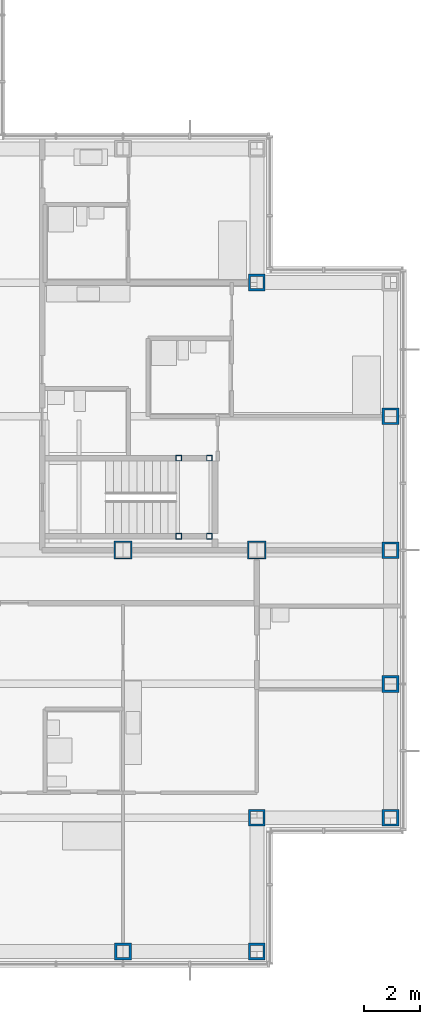
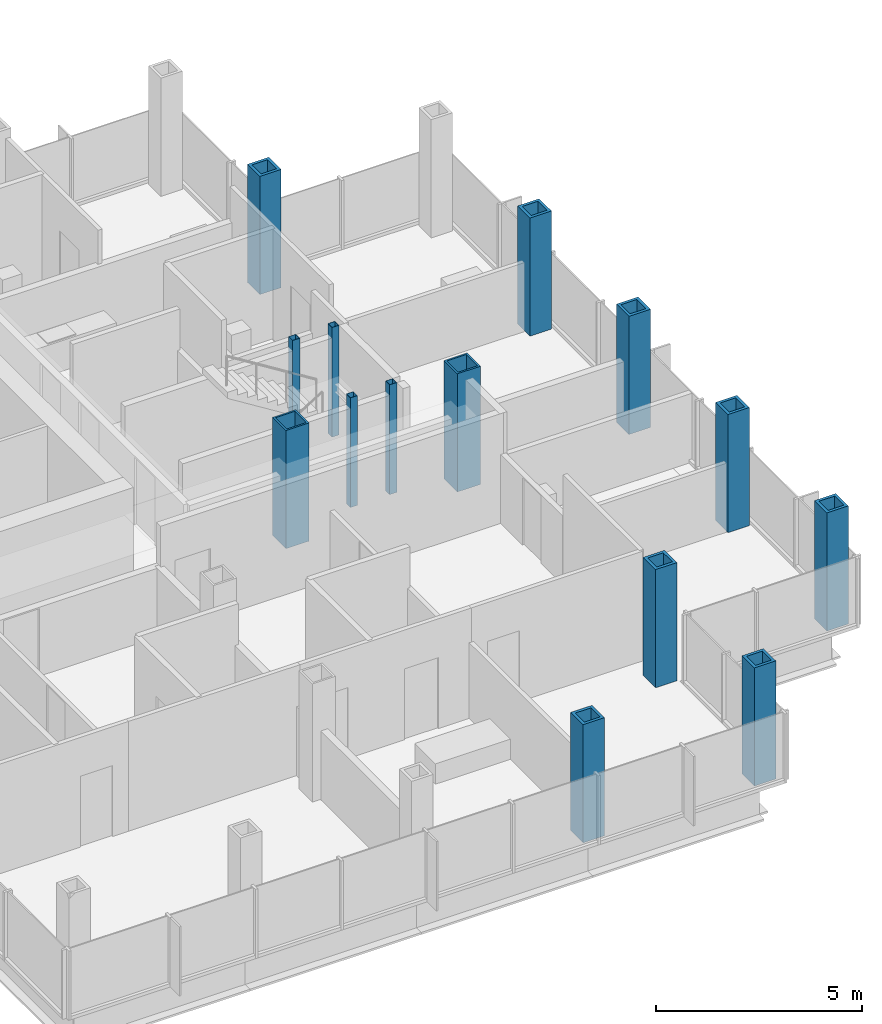
# One storey, part 4 of 20: 14 columns.
"""IFC4 building model written with IfcOpenShell, lengths in metres."""

import ifcopenshell
import ifcopenshell.guid

model = None  # the IFC model being written
_history = None  # IfcOwnerHistory: only IFC2X3 demands one
_inside = {}  # id of a spatial element -> (the spatial element, [elements in it])
_under = {}  # id of a project, library or spatial element -> (it, [spatial elements below it])
_declared = {}  # id of a project -> (the project, [libraries it declares])
_typed = {}  # id of a type object -> (the type object, [elements of that type])
_made_of = {}  # id of a material, layer set ... -> (it, [elements and type objects made of it])


def new_model(schema):
    """Start an empty IFC model of exactly this schema.

    Asked for "IFC4X3", IfcOpenShell would pick the latest addendum, in which some entities
    have other attributes; the version numbers below select the first issue.
    IFC2X3 requires an IfcOwnerHistory on every rooted entity: one is made here for all.
    """
    global model, _history
    if schema == "IFC4X3":
        model = ifcopenshell.file(schema_version=(4, 3, 0, 0))
    else:
        model = ifcopenshell.file(schema=schema)
    _inside.clear()
    _under.clear()
    _declared.clear()
    _typed.clear()
    _made_of.clear()
    _history = None
    if model.schema == "IFC2X3":
        org = make("IfcOrganization", Name="unknown")
        user = make(
            "IfcPersonAndOrganization",
            ThePerson=make("IfcPerson", FamilyName="unknown"),
            TheOrganization=org,
        )
        app = make(
            "IfcApplication",
            ApplicationDeveloper=org,
            Version="unknown",
            ApplicationFullName="unknown",
            ApplicationIdentifier="unknown",
        )
        _history = make(
            "IfcOwnerHistory",
            OwningUser=user,
            OwningApplication=app,
            ChangeAction="ADDED",
            CreationDate=0,
        )
    return model


def make(cls, **values):
    """One entity of the class cls with the attributes given. An attribute that is None is left unset."""
    return model.create_entity(
        cls, **{name: value for name, value in values.items() if value is not None}
    )


def rooted(cls, **values):
    """An entity with a GlobalId (a new one), such as an element, a storey or a relation."""
    return make(cls, GlobalId=ifcopenshell.guid.new(), OwnerHistory=_history, **values)


def si_unit(unit_type, name, prefix=None):
    """IfcSIUnit, for example si_unit("LENGTHUNIT", "METRE", prefix="MILLI")."""
    return make("IfcSIUnit", UnitType=unit_type, Prefix=prefix, Name=name)


def assignment(units):
    """IfcUnitAssignment: the units of a project."""
    return None if units is None else make("IfcUnitAssignment", Units=units)


def point(xyz):
    """IfcCartesianPoint."""
    return None if xyz is None else make("IfcCartesianPoint", Coordinates=xyz)


def direction(xyz):
    """IfcDirection."""
    return None if xyz is None else make("IfcDirection", DirectionRatios=xyz)


def frame(location, z_axis=None, x_axis=None):
    """IfcAxis2Placement3D, a coordinate frame: its origin and axes. An axis left out is left unset."""
    return make(
        "IfcAxis2Placement3D",
        Location=point(location),
        Axis=direction(z_axis),
        RefDirection=direction(x_axis),
    )


def frame_2d(location, x_axis=None):
    """IfcAxis2Placement2D, a coordinate frame in the plane: its origin and x axis."""
    return make(
        "IfcAxis2Placement2D", Location=point(location), RefDirection=direction(x_axis)
    )


def origin():
    """The frame at (0, 0, 0) with its axes left unset."""
    return frame((0.0, 0.0, 0.0))


def origin_2d():
    """The frame at (0, 0) in the plane with its x axis left unset."""
    return frame_2d((0.0, 0.0))


def place(relative_to, where):
    """IfcLocalPlacement: puts the frame where relative to a parent placement (None: the world)."""
    return make(
        "IfcLocalPlacement", PlacementRelTo=relative_to, RelativePlacement=where
    )


def context(
    kind, dimensions, precision=None, world=None, true_north=None, identifier=None
):
    """IfcGeometricRepresentationContext, for example the 3D "Model" context."""
    return make(
        "IfcGeometricRepresentationContext",
        ContextIdentifier=identifier,
        ContextType=kind,
        CoordinateSpaceDimension=dimensions,
        Precision=precision,
        WorldCoordinateSystem=world,
        TrueNorth=true_north,
    )


def subcontext(parent, identifier, kind, view, scale=None):
    """IfcGeometricRepresentationSubContext, for example "Body" below "Model"."""
    return make(
        "IfcGeometricRepresentationSubContext",
        ContextIdentifier=identifier,
        ContextType=kind,
        ParentContext=parent,
        TargetScale=scale,
        TargetView=view,
    )


def project(units=None, contexts=None):
    """IfcProject with its units and contexts."""
    return rooted(
        "IfcProject",
        Name="project",
        RepresentationContexts=contexts,
        UnitsInContext=assignment(units),
    )


def spatial(cls, under=None, at=None, **own):
    """A site, building, storey or space (cls), placed at a placement, below another one or the project."""
    s = rooted(cls, ObjectPlacement=at, **own)
    if under is not None:
        _under.setdefault(under.id(), (under, []))[1].append(s)
    return s


def profile(cls, at=None, kind="AREA", **sizes):
    """A parametric profile (cls). Its sizes go by their IFC names, for example OverallWidth=200.0."""
    return make(cls, ProfileType=kind, Position=at, **sizes)


def hollow_rectangle(**sizes):
    """IfcRectangleHollowProfileDef."""
    return profile("IfcRectangleHollowProfileDef", **sizes)


def extrude(swept, where, along, depth):
    """IfcExtrudedAreaSolid: the profile swept, set in the frame where, extruded along a direction by depth."""
    return make(
        "IfcExtrudedAreaSolid",
        SweptArea=swept,
        Position=where,
        ExtrudedDirection=direction(along),
        Depth=depth,
    )


def shape(context_of_items, identifier, shape_type, items):
    """IfcShapeRepresentation: the items that make up one representation, for example the "Body"."""
    return make(
        "IfcShapeRepresentation",
        ContextOfItems=context_of_items,
        RepresentationIdentifier=identifier,
        RepresentationType=shape_type,
        Items=items,
    )


def material(Name=None, Category=None):
    """IfcMaterial."""
    return make("IfcMaterial", Name=Name, Category=Category)


def material_profile(
    of_material, cross_section, Name=None, Category=None, Priority=None
):
    """IfcMaterialProfile: a cross section and its material."""
    return make(
        "IfcMaterialProfile",
        Name=Name,
        Material=of_material,
        Profile=cross_section,
        Priority=Priority,
        Category=Category,
    )


def profile_set(profiles, Name=None, composite=None):
    """IfcMaterialProfileSet."""
    return make(
        "IfcMaterialProfileSet",
        Name=Name,
        MaterialProfiles=profiles,
        CompositeProfile=composite,
    )


def made_of(thing, what):
    """Note that an element or type object is made of a material, layer set ...; save() writes the relation."""
    if what is not None:
        _made_of.setdefault(what.id(), (what, []))[1].append(thing)
    return thing


def type_object(cls, material=None, **own):
    """A type object (cls), such as IfcWallType, which elements share."""
    return made_of(rooted(cls, **own), material)


def element(
    cls,
    number,
    at=None,
    inside=None,
    cuts=None,
    type_object=None,
    material=None,
    context=None,
    identifier="Body",
    shape_type=None,
    held_by="IfcProductDefinitionShape",
    body=None,
    shapes=None,
    **own,
):
    """One element of the class cls, such as IfcWall. Its Tag is "e" and its number.

    at: its placement. inside: the storey or other place that contains it. cuts: it is an
    opening in that element (IfcRelVoidsElement). A single representation is given by context,
    identifier, shape_type and body (its items); several are given by shapes. held_by: the class
    of the entity that holds the representations. save() writes the other relations.
    """
    e = rooted(cls, Tag="e%d" % number, ObjectPlacement=at, **own)
    if body is not None:
        shapes = [shape(context, identifier, shape_type, body)]
    if shapes is not None:
        e.Representation = make(held_by, Representations=shapes)
    if inside is not None:
        _inside.setdefault(inside.id(), (inside, []))[1].append(e)
    if cuts is not None:
        rooted(
            "IfcRelVoidsElement", RelatingBuildingElement=cuts, RelatedOpeningElement=e
        )
    if type_object is not None:
        _typed.setdefault(type_object.id(), (type_object, []))[1].append(e)
    return made_of(e, material)


def aggregate(whole, parts):
    """IfcRelAggregates: a whole, such as a stair, and the parts it consists of."""
    return rooted("IfcRelAggregates", RelatingObject=whole, RelatedObjects=parts)


def save(model, path):
    """Write the relations noted so far, then the file.

    IfcRelAggregates (storeys below a building ...), IfcRelContainedInSpatialStructure (elements
    in a storey), IfcRelDefinesByType, IfcRelAssociatesMaterial and IfcRelDeclares: one each for
    every whole, place, type object, material and project.
    """
    for whole, parts in _under.values():
        aggregate(whole, parts)
    for where, things in _inside.values():
        rooted(
            "IfcRelContainedInSpatialStructure",
            RelatedElements=things,
            RelatingStructure=where,
        )
    for kind, things in _typed.values():
        rooted("IfcRelDefinesByType", RelatedObjects=things, RelatingType=kind)
    for what, things in _made_of.values():
        rooted("IfcRelAssociatesMaterial", RelatedObjects=things, RelatingMaterial=what)
    for by, libraries in _declared.values():
        rooted("IfcRelDeclares", RelatingContext=by, RelatedDefinitions=libraries)
    model.write(path)


model = new_model("IFC4")

# Units and contexts
model_context = context("Model", 3, precision=1e-05, world=origin(), true_north=direction((0.0, 1.0)))
body_context = subcontext(model_context, "Body", "Model", "MODEL_VIEW")
ifc_project = project(units=[si_unit("LENGTHUNIT", "METRE"), si_unit("AREAUNIT", "SQUARE_METRE"), si_unit("VOLUMEUNIT", "CUBIC_METRE"), si_unit("PLANEANGLEUNIT", "RADIAN"), si_unit("MASSUNIT", "GRAM", prefix="KILO")], contexts=[model_context])

# Site, building, storey
site_placement = place(None, origin())
site = spatial("IfcSite", under=ifc_project, at=site_placement, CompositionType="ELEMENT")
building_placement = place(site_placement, origin())
building = spatial("IfcBuilding", under=site, at=building_placement, Name="Kvirike Care Tower", CompositionType="ELEMENT")
storey_placement = place(building_placement, frame((0.0, 0.0, 133.0)))
storey = spatial("IfcBuildingStorey", under=building, at=storey_placement, Name="L36", CompositionType="ELEMENT", Elevation=133.0)

# Columns
ifc_material_1 = material(Name="Steel S460", Category="steel")
ifc_material_profile_1 = material_profile(ifc_material_1, hollow_rectangle(XDim=0.60009765625, YDim=0.60009765625, WallThickness=0.080078125, at=origin_2d()), Name="BX 600x600x80")
ifc_profile_set_1 = profile_set([ifc_material_profile_1], Name="Steel S460")
column_type_1 = type_object("IfcColumnType", Name="COLUMN BX 600x600x80", PredefinedType="COLUMN", material=ifc_profile_set_1)
for number, where, z_axis, x_axis, name in (
    (1, (33.60009765625, 14.39990234375, 0.0), (0.0, 0.0, 1.0), (0.0, 1.0, 0.0), "Column D10 L36"),
    (2, (38.39990234375, 14.39990234375, 0.0), (0.0, 0.0, 1.0), (0.0, 1.0, 0.0), "Column D11 L36"),
    (3, (38.39990234375, 19.199951171875, 0.0), (0.0, 0.0, 1.0), (0.0, 1.0, 0.0), "Column E11 L36"),
    (4, (38.39990234375, 38.39990234375, 0.0), (0.0, 0.0, 1.0), (0.0, 1.0, 0.0), "Column J11 L36"),
    (5, (43.199951171875, 19.199951171875, 0.0), (0.0, 0.0, 1.0), (0.0, 1.0, 0.0), "Column E12 L36"),
    (6, (43.199951171875, 24.0, 0.0), (0.0, 0.0, 1.0), (1.0, 0.0, 0.0), "Column F12 L36"),
    (7, (43.199951171875, 28.800048828125, 0.0), (0.0, 0.0, 1.0), (0.0, 1.0, 0.0), "Column G12 L36"),
    (8, (43.199951171875, 33.60009765625, 0.0), (0.0, 0.0, 1.0), (1.0, 0.0, 0.0), "Column H12 L36"),
):
    element("IfcColumn", number, at=place(storey_placement, frame(where, z_axis=z_axis, x_axis=x_axis)), inside=storey, type_object=column_type_1, Name=name, PredefinedType="COLUMN", context=body_context, shape_type="SweptSolid", body=[
        extrude(hollow_rectangle(XDim=0.60009765625, YDim=0.60009765625, WallThickness=0.080078125, at=origin_2d()), origin(), (0.0, 0.0, 1.0), 3.5),
    ])
ifc_material_2 = material(Name="Steel S460", Category="steel")
ifc_material_profile_2 = material_profile(ifc_material_2, hollow_rectangle(XDim=0.64990234375, YDim=0.64990234375, WallThickness=0.050048828125, at=origin_2d()), Name="BX 650x650x50")
ifc_profile_set_2 = profile_set([ifc_material_profile_2], Name="Steel S460")
column_type_2 = type_object("IfcColumnType", Name="COLUMN BX 650x650x50", PredefinedType="COLUMN", material=ifc_profile_set_2)
for number, where, z_axis, x_axis, name in (
    (9, (33.60009765625, 28.800048828125, 0.0), (0.0, 0.0, 1.0), (0.0, 1.0, 0.0), "Column G10 L36"),
    (10, (38.39990234375, 28.800048828125, 0.0), (0.0, 0.0, 1.0), (0.0, 1.0, 0.0), "Column G11 L36"),
):
    element("IfcColumn", number, at=place(storey_placement, frame(where, z_axis=z_axis, x_axis=x_axis)), inside=storey, type_object=column_type_2, Name=name, PredefinedType="COLUMN", context=body_context, shape_type="SweptSolid", body=[
        extrude(hollow_rectangle(XDim=0.64990234375, YDim=0.64990234375, WallThickness=0.050048828125, at=origin_2d()), origin(), (0.0, 0.0, 1.0), 3.5),
    ])
ifc_material_3 = material(Name="Steel S460", Category="steel")
ifc_material_profile_3 = material_profile(ifc_material_3, hollow_rectangle(XDim=0.199951171875, YDim=0.199951171875, WallThickness=0.008056640625, at=origin_2d()), Name="SHS 200x200x8")
ifc_profile_set_3 = profile_set([ifc_material_profile_3], Name="Steel S460")
column_type_3 = type_object("IfcColumnType", Name="STAIR POST SHS 200x200x8", PredefinedType="COLUMN", material=ifc_profile_set_3)
for number, where, z_axis, x_axis, name in (
    (11, (36.699951171875, 29.300048828125, 0.0), (0.0, 0.0, 1.0), (1.0, 0.0, 0.0), "Stair 2 post 1 L36"),
    (12, (36.699951171875, 32.10009765625, 0.0), (0.0, 0.0, 1.0), (1.0, 0.0, 0.0), "Stair 2 post 2 L36"),
    (13, (35.60009765625, 29.300048828125, 0.0), (0.0, 0.0, 1.0), (1.0, 0.0, 0.0), "Stair 2 post 3 L36"),
    (14, (35.60009765625, 32.10009765625, 0.0), (0.0, 0.0, 1.0), (1.0, 0.0, 0.0), "Stair 2 post 4 L36"),
):
    element("IfcColumn", number, at=place(storey_placement, frame(where, z_axis=z_axis, x_axis=x_axis)), inside=storey, type_object=column_type_3, Name=name, PredefinedType="COLUMN", context=body_context, shape_type="SweptSolid", body=[
        extrude(hollow_rectangle(XDim=0.199951171875, YDim=0.199951171875, WallThickness=0.008056640625, at=origin_2d()), origin(), (0.0, 0.0, 1.0), 3.25),
    ])

save(model, "model.ifc")
